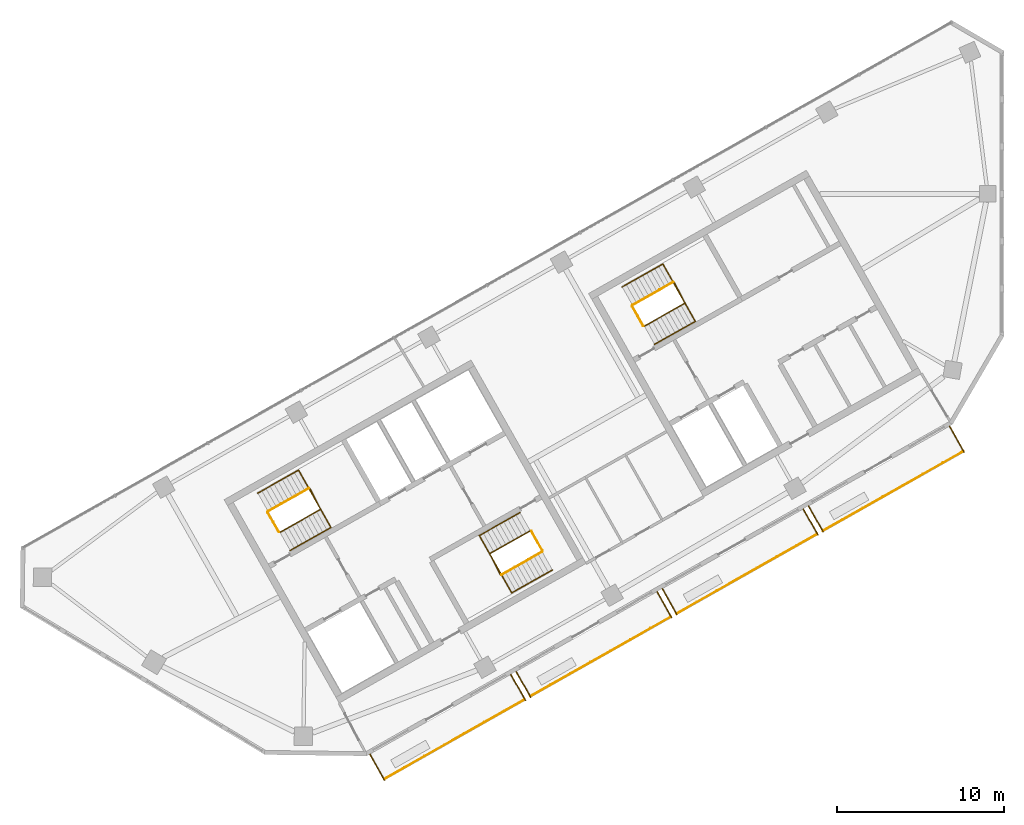
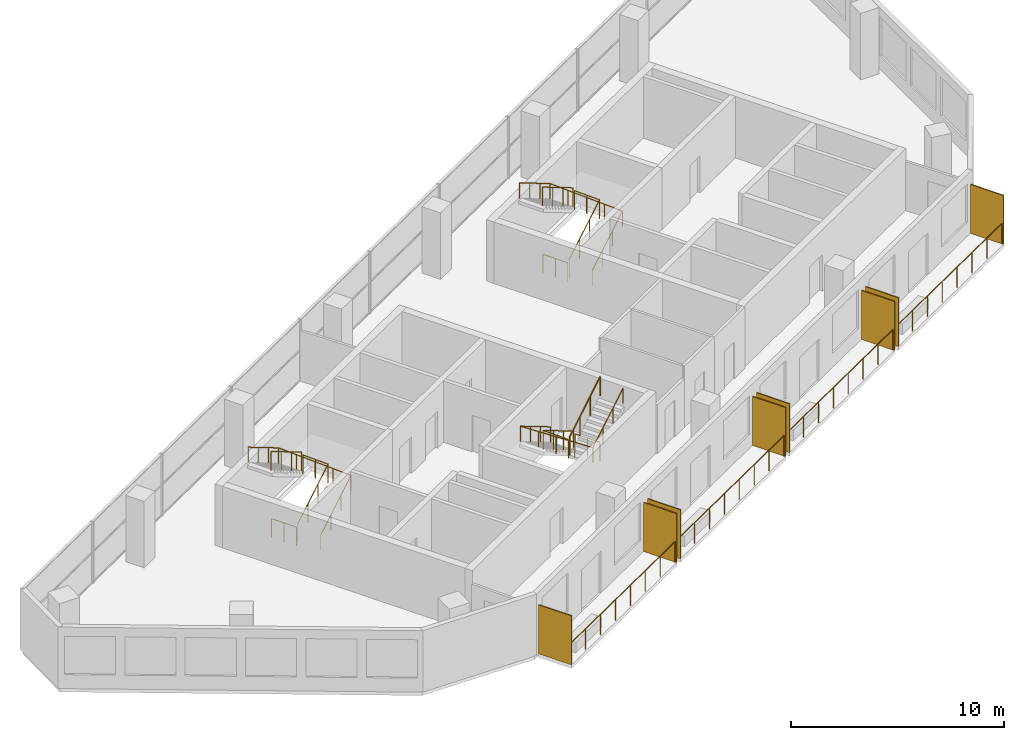
# One storey, part 9 of 10: 16 railings, 8 shading devices.
"""IFC4 building model written with IfcOpenShell, lengths in metres."""

from ifc_helpers import new_model, si_unit, direction, frame, origin, origin_2d, place, context, subcontext, project, spatial, rectangle, circle, extrude, material, layer, layer_set, type_object, element, save


model = new_model("IFC4")

# Units and contexts
model_context = context("Model", 3, precision=1e-05, world=origin(), true_north=direction((0.0, 1.0)))
body_context = subcontext(model_context, "Body", "Model", "MODEL_VIEW")
ifc_project = project(units=[si_unit("LENGTHUNIT", "METRE"), si_unit("AREAUNIT", "SQUARE_METRE"), si_unit("VOLUMEUNIT", "CUBIC_METRE"), si_unit("PLANEANGLEUNIT", "RADIAN"), si_unit("MASSUNIT", "GRAM", prefix="KILO")], contexts=[model_context])

# Site, building, storey
site_placement = place(None, origin())
site = spatial("IfcSite", under=ifc_project, at=site_placement, CompositionType="ELEMENT")
building_placement = place(site_placement, origin())
building = spatial("IfcBuilding", under=site, at=building_placement, Name="Binnacle Exchange Tower", CompositionType="ELEMENT")
storey_placement = place(building_placement, frame((0.0, 0.0, 335.5)))
storey = spatial("IfcBuildingStorey", under=building, at=storey_placement, Name="L76", CompositionType="ELEMENT", Elevation=335.5)

# Railings
ifc_material_1 = material(Name="Bronze anodised aluminium frame", Category="aluminium")
railing_type_1 = type_object("IfcRailingType", Name="GUARD 1200", PredefinedType="GUARDRAIL", material=ifc_material_1)
for number, where, name in (
    (1, (-37.006591796875, 24.94287109375, 0.0), "Balcony guard H07-B00 L76"),
    (2, (-28.24365234375, 29.900634765625, 0.0), "Balcony guard H07-B01 L76"),
):
    element("IfcRailing", number, at=place(storey_placement, frame(where)), inside=storey, type_object=railing_type_1, Name=name, PredefinedType="GUARDRAIL", context=body_context, shape_type="SweptSolid", body=[
        extrude(circle(Radius=0.02392578125, at=origin_2d()), frame((0.0, 0.0, 1.17578125), z_axis=(0.870359171481, 0.492417417055, 0.0), x_axis=(-0.492417417055, 0.870359171481, 0.0)), (0.0, 0.0, 1.0), 9.648193359375),
        extrude(circle(Radius=0.02099609375, at=origin_2d()), origin(), (0.0, 0.0, 1.0), 1.15185546875),
        extrude(circle(Radius=0.02099609375, at=origin_2d()), frame((1.19970703125, 0.6787109375, 0.0)), (0.0, 0.0, 1.0), 1.15185546875),
        extrude(circle(Radius=0.02099609375, at=origin_2d()), frame((2.399169921875, 1.357421875, 0.0)), (0.0, 0.0, 1.0), 1.15185546875),
        extrude(circle(Radius=0.02099609375, at=origin_2d()), frame((3.598876953125, 2.0361328125, 0.0)), (0.0, 0.0, 1.0), 1.15185546875),
        extrude(circle(Radius=0.02099609375, at=origin_2d()), frame((4.798583984375, 2.71484375, 0.0)), (0.0, 0.0, 1.0), 1.15185546875),
        extrude(circle(Radius=0.02099609375, at=origin_2d()), frame((5.998291015625, 3.3935546875, 0.0)), (0.0, 0.0, 1.0), 1.15185546875),
        extrude(circle(Radius=0.02099609375, at=origin_2d()), frame((7.19775390625, 4.072265625, 0.0)), (0.0, 0.0, 1.0), 1.15185546875),
        extrude(circle(Radius=0.02099609375, at=origin_2d()), frame((8.3974609375, 4.7509765625, 0.0)), (0.0, 0.0, 1.0), 1.15185546875),
    ])
railing_1_placement = place(storey_placement, frame((-19.480712890625, 34.8583984375, 0.0)))
element("IfcRailing", 3, at=railing_1_placement, inside=storey, type_object=railing_type_1, Name="Balcony guard H07-B02 L76", PredefinedType="GUARDRAIL", context=body_context, shape_type="SweptSolid", body=[
    extrude(circle(Radius=0.02392578125, at=origin_2d()), frame((0.0, 0.0, 1.17578125), z_axis=(0.870342190373, 0.492447430349, 0.0), x_axis=(-0.492447430349, 0.870342190373, 0.0)), (0.0, 0.0, 1.0), 9.648193359375),
    extrude(circle(Radius=0.02099609375, at=origin_2d()), origin(), (0.0, 0.0, 1.0), 1.15185546875),
    extrude(circle(Radius=0.02099609375, at=origin_2d()), frame((1.19970703125, 0.6787109375, 0.0)), (0.0, 0.0, 1.0), 1.15185546875),
    extrude(circle(Radius=0.02099609375, at=origin_2d()), frame((2.399169921875, 1.357421875, 0.0)), (0.0, 0.0, 1.0), 1.15185546875),
    extrude(circle(Radius=0.02099609375, at=origin_2d()), frame((3.598876953125, 2.0361328125, 0.0)), (0.0, 0.0, 1.0), 1.15185546875),
    extrude(circle(Radius=0.02099609375, at=origin_2d()), frame((4.79833984375, 2.715087890625, 0.0)), (0.0, 0.0, 1.0), 1.15185546875),
    extrude(circle(Radius=0.02099609375, at=origin_2d()), frame((5.998046875, 3.393798828125, 0.0)), (0.0, 0.0, 1.0), 1.15185546875),
    extrude(circle(Radius=0.02099609375, at=origin_2d()), frame((7.197509765625, 4.072509765625, 0.0)), (0.0, 0.0, 1.0), 1.15185546875),
    extrude(circle(Radius=0.02099609375, at=origin_2d()), frame((8.397216796875, 4.751220703125, 0.0)), (0.0, 0.0, 1.0), 1.15185546875),
])
railing_2_placement = place(storey_placement, frame((-10.7177734375, 39.81640625, 0.0)))
element("IfcRailing", 4, at=railing_2_placement, inside=storey, type_object=railing_type_1, Name="Balcony guard H07-B03 L76", PredefinedType="GUARDRAIL", context=body_context, shape_type="SweptSolid", body=[
    extrude(circle(Radius=0.02392578125, at=origin_2d()), frame((0.0, 0.0, 1.17578125), z_axis=(0.870353035673, 0.492428262079, 0.0), x_axis=(-0.492428262079, 0.870353035673, 0.0)), (0.0, 0.0, 1.0), 9.64794921875),
    extrude(circle(Radius=0.02099609375, at=origin_2d()), origin(), (0.0, 0.0, 1.0), 1.15185546875),
    extrude(circle(Radius=0.02099609375, at=origin_2d()), frame((1.19970703125, 0.6787109375, 0.0)), (0.0, 0.0, 1.0), 1.15185546875),
    extrude(circle(Radius=0.02099609375, at=origin_2d()), frame((2.399169921875, 1.357421875, 0.0)), (0.0, 0.0, 1.0), 1.15185546875),
    extrude(circle(Radius=0.02099609375, at=origin_2d()), frame((3.598876953125, 2.0361328125, 0.0)), (0.0, 0.0, 1.0), 1.15185546875),
    extrude(circle(Radius=0.02099609375, at=origin_2d()), frame((4.79833984375, 2.71484375, 0.0)), (0.0, 0.0, 1.0), 1.15185546875),
    extrude(circle(Radius=0.02099609375, at=origin_2d()), frame((5.998046875, 3.3935546875, 0.0)), (0.0, 0.0, 1.0), 1.15185546875),
    extrude(circle(Radius=0.02099609375, at=origin_2d()), frame((7.197509765625, 4.072265625, 0.0)), (0.0, 0.0, 1.0), 1.15185546875),
    extrude(circle(Radius=0.02099609375, at=origin_2d()), frame((8.397216796875, 4.7509765625, 0.0)), (0.0, 0.0, 1.0), 1.15185546875),
])

# Shading devices
ifc_material_2 = material(Name="Bronze aluminium louvre", Category="aluminium")
ifc_layer = layer(ifc_material_2, 0.06005859375)
ifc_layer_set = layer_set([ifc_layer], Name="PLANTED SCREEN 60x2800")
shading_device_type = type_object("IfcShadingDeviceType", Name="PLANTED SCREEN 60x2800", PredefinedType="USERDEFINED", material=ifc_layer_set)
for number, where, z_axis, x_axis, name in (
    (5, (-37.436279296875, 25.641845703125, 0.0), (0.0, 0.0, 1.0), (0.87035569594, 0.492423560103, 0.0), "Planted screen H07-B00a L76"),
    (6, (-28.98681640625, 30.42236328125, 0.0), (0.0, 0.0, 1.0), (0.87035569594, 0.492423560103, 0.0), "Planted screen H07-B00b L76"),
    (7, (-28.673583984375, 30.599609375, 0.0), (0.0, 0.0, 1.0), (0.87035569594, 0.492423560103, 0.0), "Planted screen H07-B01a L76"),
    (8, (-20.223876953125, 35.380126953125, 0.0), (0.0, 0.0, 1.0), (0.87035569594, 0.492423560103, 0.0), "Planted screen H07-B01b L76"),
    (9, (-19.91064453125, 35.5576171875, 0.0), (0.0, 0.0, 1.0), (0.87035569594, 0.492423560103, 0.0), "Planted screen H07-B02a L76"),
    (10, (-11.461181640625, 40.337890625, 0.0), (0.0, 0.0, 1.0), (0.87035569594, 0.492423560103, 0.0), "Planted screen H07-B02b L76"),
    (11, (-11.147705078125, 40.51513671875, 0.0), (0.0, 0.0, 1.0), (0.87035569594, 0.492423560103, 0.0), "Planted screen H07-B03a L76"),
    (12, (-2.697998046875, 45.2958984375, 0.0), (0.0, 0.0, 1.0), (0.87035569594, 0.492423560103, 0.0), "Planted screen H07-B03b L76"),
):
    element("IfcShadingDevice", number, at=place(storey_placement, frame(where, z_axis=z_axis, x_axis=x_axis)), inside=storey, type_object=shading_device_type, Name=name, ObjectType="SCREEN", PredefinedType="USERDEFINED", context=body_context, shape_type="SweptSolid", body=[
        extrude(rectangle(XDim=0.06005859375, YDim=1.800048828125, at=origin_2d()), origin(), (0.0, 0.0, 1.0), 2.800048828125),
    ])

# Railings
ifc_material_3 = material(Name="Steel guard rail", Category="steel")
railing_type_2 = type_object("IfcRailingType", Name="STAIR GUARD 1100", PredefinedType="GUARDRAIL", material=ifc_material_3)
railing_3_placement = place(storey_placement, frame((-43.26171875, 39.71728515625, 0.172607421875)))
element("IfcRailing", 13, at=railing_3_placement, inside=storey, type_object=railing_type_2, Name="L76 STA1 stair guard 1", PredefinedType="GUARDRAIL", context=body_context, shape_type="SweptSolid", body=[
    extrude(circle(Radius=0.02392578125, at=origin_2d()), frame((0.0, 0.0, 1.076171875), z_axis=(0.740737961854, 0.419123222656, 0.525017138862), x_axis=(-0.492453686477, 0.870338650569, 0.0)), (0.0, 0.0, 1.0), 3.2900390625),
    extrude(circle(Radius=0.02392578125, at=origin_2d()), frame((2.43701171875, 1.37890625, 2.80322265625), z_axis=(-0.461100321709, 0.887348011391, 0.0), x_axis=(-0.887348011391, -0.461100321709, 0.0)), (0.0, 0.0, 1.0), 1.40087890625),
    extrude(circle(Radius=0.02099609375, at=origin_2d()), origin(), (0.0, 0.0, 1.0), 1.052001953125),
    extrude(circle(Radius=0.02099609375, at=origin_2d()), frame((0.812255859375, 0.459716796875, 0.57568359375)), (0.0, 0.0, 1.0), 1.052001953125),
    extrude(circle(Radius=0.02099609375, at=origin_2d()), frame((1.624755859375, 0.919189453125, 1.151611328125)), (0.0, 0.0, 1.0), 1.052001953125),
    extrude(circle(Radius=0.02099609375, at=origin_2d()), frame((2.43701171875, 1.37890625, 1.727294921875)), (0.0, 0.0, 1.0), 1.052001953125),
    extrude(circle(Radius=0.02099609375, at=origin_2d()), frame((2.114013671875, 2.00048828125, 1.727294921875)), (0.0, 0.0, 1.0), 1.052001953125),
    extrude(circle(Radius=0.02099609375, at=origin_2d()), frame((1.791015625, 2.6220703125, 1.727294921875)), (0.0, 0.0, 1.0), 1.052001953125),
])
railing_4_placement = place(storey_placement, frame((-41.538818359375, 42.358154296875, 2.07275390625)))
element("IfcRailing", 14, at=railing_4_placement, inside=storey, type_object=railing_type_2, Name="L76 STA1 stair guard 2", PredefinedType="GUARDRAIL", context=body_context, shape_type="SweptSolid", body=[
    extrude(circle(Radius=0.02392578125, at=origin_2d()), frame((0.0, 0.0, 1.076171875), z_axis=(-0.740737961854, -0.419123222656, 0.525017138862), x_axis=(0.492453686477, -0.870338650569, 0.0)), (0.0, 0.0, 1.0), 3.2900390625),
    extrude(circle(Radius=0.02099609375, at=origin_2d()), origin(), (0.0, 0.0, 1.0), 1.052001953125),
    extrude(circle(Radius=0.02099609375, at=origin_2d()), frame((-0.812255859375, -0.459716796875, 0.57568359375)), (0.0, 0.0, 1.0), 1.052001953125),
    extrude(circle(Radius=0.02099609375, at=origin_2d()), frame((-1.624755859375, -0.919189453125, 1.151611328125)), (0.0, 0.0, 1.0), 1.052001953125),
    extrude(circle(Radius=0.02099609375, at=origin_2d()), frame((-2.43701171875, -1.37890625, 1.727294921875)), (0.0, 0.0, 1.0), 1.052001953125),
])
railing_5_placement = place(storey_placement, frame((-43.329833984375, 39.736328125, 0.0)))
element("IfcRailing", 15, at=railing_5_placement, inside=storey, type_object=railing_type_2, Name="L76 STA1 stair guard 3", PredefinedType="GUARDRAIL", context=body_context, shape_type="SweptSolid", body=[
    extrude(circle(Radius=0.02392578125, at=origin_2d()), frame((0.0, 0.0, 1.076171875), z_axis=(-0.4924922531, 0.870316827734, 0.0), x_axis=(-0.870316827734, -0.4924922531, 0.0)), (0.0, 0.0, 1.0), 1.349853515625),
    extrude(circle(Radius=0.02099609375, at=origin_2d()), origin(), (0.0, 0.0, 1.0), 1.052001953125),
    extrude(circle(Radius=0.02099609375, at=origin_2d()), frame((-0.33251953125, 0.58740234375, 0.0)), (0.0, 0.0, 1.0), 1.052001953125),
    extrude(circle(Radius=0.02099609375, at=origin_2d()), frame((-0.664794921875, 1.1748046875, 0.0)), (0.0, 0.0, 1.0), 1.052001953125),
])
railing_6_placement = place(storey_placement, frame((-28.265380859375, 39.814453125, 0.172607421875)))
element("IfcRailing", 16, at=railing_6_placement, inside=storey, type_object=railing_type_2, Name="L76 STA2 stair guard 1", PredefinedType="GUARDRAIL", context=body_context, shape_type="SweptSolid", body=[
    extrude(circle(Radius=0.02392578125, at=origin_2d()), frame((0.0, 0.0, 1.076171875), z_axis=(-0.740760999345, -0.419062048017, 0.525033467278), x_axis=(0.492387636113, -0.870376019777, 0.0)), (0.0, 0.0, 1.0), 3.289794921875),
    extrude(circle(Radius=0.02392578125, at=origin_2d()), frame((-2.43701171875, -1.378662109375, 2.80322265625), z_axis=(0.460963092712, -0.887419307406, 0.0), x_axis=(0.887419307406, 0.460963092712, 0.0)), (0.0, 0.0, 1.0), 1.40087890625),
    extrude(circle(Radius=0.02099609375, at=origin_2d()), origin(), (0.0, 0.0, 1.0), 1.052001953125),
    extrude(circle(Radius=0.02099609375, at=origin_2d()), frame((-0.812255859375, -0.45947265625, 0.57568359375)), (0.0, 0.0, 1.0), 1.052001953125),
    extrude(circle(Radius=0.02099609375, at=origin_2d()), frame((-1.624755859375, -0.919189453125, 1.151611328125)), (0.0, 0.0, 1.0), 1.052001953125),
    extrude(circle(Radius=0.02099609375, at=origin_2d()), frame((-2.43701171875, -1.378662109375, 1.727294921875)), (0.0, 0.0, 1.0), 1.052001953125),
    extrude(circle(Radius=0.02099609375, at=origin_2d()), frame((-2.1142578125, -2.000244140625, 1.727294921875)), (0.0, 0.0, 1.0), 1.052001953125),
    extrude(circle(Radius=0.02099609375, at=origin_2d()), frame((-1.791259765625, -2.621826171875, 1.727294921875)), (0.0, 0.0, 1.0), 1.052001953125),
])
railing_7_placement = place(storey_placement, frame((-29.988525390625, 37.173583984375, 2.07275390625)))
element("IfcRailing", 17, at=railing_7_placement, inside=storey, type_object=railing_type_2, Name="L76 STA2 stair guard 2", PredefinedType="GUARDRAIL", context=body_context, shape_type="SweptSolid", body=[
    extrude(circle(Radius=0.02392578125, at=origin_2d()), frame((0.0, 0.0, 1.076171875), z_axis=(0.740737961854, 0.419123222656, 0.525017138862), x_axis=(-0.492453686477, 0.870338650569, 0.0)), (0.0, 0.0, 1.0), 3.2900390625),
    extrude(circle(Radius=0.02099609375, at=origin_2d()), origin(), (0.0, 0.0, 1.0), 1.052001953125),
    extrude(circle(Radius=0.02099609375, at=origin_2d()), frame((0.812255859375, 0.459716796875, 0.57568359375)), (0.0, 0.0, 1.0), 1.052001953125),
    extrude(circle(Radius=0.02099609375, at=origin_2d()), frame((1.624755859375, 0.919189453125, 1.151611328125)), (0.0, 0.0, 1.0), 1.052001953125),
    extrude(circle(Radius=0.02099609375, at=origin_2d()), frame((2.43701171875, 1.37890625, 1.727294921875)), (0.0, 0.0, 1.0), 1.052001953125),
])
railing_8_placement = place(storey_placement, frame((-28.197265625, 39.795654296875, 0.0)))
element("IfcRailing", 18, at=railing_8_placement, inside=storey, type_object=railing_type_2, Name="L76 STA2 stair guard 3", PredefinedType="GUARDRAIL", context=body_context, shape_type="SweptSolid", body=[
    extrude(circle(Radius=0.02392578125, at=origin_2d()), frame((0.0, 0.0, 1.076171875), z_axis=(0.49241474071, -0.870360685654, 0.0), x_axis=(0.870360685654, 0.49241474071, 0.0)), (0.0, 0.0, 1.0), 1.35009765625),
    extrude(circle(Radius=0.02099609375, at=origin_2d()), origin(), (0.0, 0.0, 1.0), 1.052001953125),
    extrude(circle(Radius=0.02099609375, at=origin_2d()), frame((0.33251953125, -0.58740234375, 0.0)), (0.0, 0.0, 1.0), 1.052001953125),
    extrude(circle(Radius=0.02099609375, at=origin_2d()), frame((0.664794921875, -1.175048828125, 0.0)), (0.0, 0.0, 1.0), 1.052001953125),
])
railing_9_placement = place(storey_placement, frame((-21.423828125, 52.07275390625, 0.172607421875)))
element("IfcRailing", 19, at=railing_9_placement, inside=storey, type_object=railing_type_2, Name="L76 STC1 stair guard 1", PredefinedType="GUARDRAIL", context=body_context, shape_type="SweptSolid", body=[
    extrude(circle(Radius=0.02392578125, at=origin_2d()), frame((0.0, 0.0, 1.076171875), z_axis=(0.740760999345, 0.419062048017, 0.525033467278), x_axis=(-0.492387636113, 0.870376019777, 0.0)), (0.0, 0.0, 1.0), 3.289794921875),
    extrude(circle(Radius=0.02392578125, at=origin_2d()), frame((2.43701171875, 1.378662109375, 2.80322265625), z_axis=(-0.460963092712, 0.887419307406, 0.0), x_axis=(-0.887419307406, -0.460963092712, 0.0)), (0.0, 0.0, 1.0), 1.40087890625),
    extrude(circle(Radius=0.02099609375, at=origin_2d()), origin(), (0.0, 0.0, 1.0), 1.052001953125),
    extrude(circle(Radius=0.02099609375, at=origin_2d()), frame((0.812255859375, 0.45947265625, 0.57568359375)), (0.0, 0.0, 1.0), 1.052001953125),
    extrude(circle(Radius=0.02099609375, at=origin_2d()), frame((1.624755859375, 0.919189453125, 1.151611328125)), (0.0, 0.0, 1.0), 1.052001953125),
    extrude(circle(Radius=0.02099609375, at=origin_2d()), frame((2.43701171875, 1.378662109375, 1.727294921875)), (0.0, 0.0, 1.0), 1.052001953125),
    extrude(circle(Radius=0.02099609375, at=origin_2d()), frame((2.1142578125, 2.000244140625, 1.727294921875)), (0.0, 0.0, 1.0), 1.052001953125),
    extrude(circle(Radius=0.02099609375, at=origin_2d()), frame((1.791259765625, 2.621826171875, 1.727294921875)), (0.0, 0.0, 1.0), 1.052001953125),
])
railing_10_placement = place(storey_placement, frame((-19.70068359375, 54.71337890625, 2.07275390625)))
element("IfcRailing", 20, at=railing_10_placement, inside=storey, type_object=railing_type_2, Name="L76 STC1 stair guard 2", PredefinedType="GUARDRAIL", context=body_context, shape_type="SweptSolid", body=[
    extrude(circle(Radius=0.02392578125, at=origin_2d()), frame((0.0, 0.0, 1.076171875), z_axis=(-0.740760999345, -0.419062048017, 0.525033467278), x_axis=(0.492387636113, -0.870376019777, 0.0)), (0.0, 0.0, 1.0), 3.289794921875),
    extrude(circle(Radius=0.02099609375, at=origin_2d()), origin(), (0.0, 0.0, 1.0), 1.052001953125),
    extrude(circle(Radius=0.02099609375, at=origin_2d()), frame((-0.812255859375, -0.45947265625, 0.57568359375)), (0.0, 0.0, 1.0), 1.052001953125),
    extrude(circle(Radius=0.02099609375, at=origin_2d()), frame((-1.624755859375, -0.919189453125, 1.151611328125)), (0.0, 0.0, 1.0), 1.052001953125),
    extrude(circle(Radius=0.02099609375, at=origin_2d()), frame((-2.43701171875, -1.378662109375, 1.727294921875)), (0.0, 0.0, 1.0), 1.052001953125),
])
railing_11_placement = place(storey_placement, frame((-21.491943359375, 52.091552734375, 0.0)))
element("IfcRailing", 21, at=railing_11_placement, inside=storey, type_object=railing_type_2, Name="L76 STC1 stair guard 3", PredefinedType="GUARDRAIL", context=body_context, shape_type="SweptSolid", body=[
    extrude(circle(Radius=0.02392578125, at=origin_2d()), frame((0.0, 0.0, 1.076171875), z_axis=(-0.49241474071, 0.870360685654, 0.0), x_axis=(-0.870360685654, -0.49241474071, 0.0)), (0.0, 0.0, 1.0), 1.35009765625),
    extrude(circle(Radius=0.02099609375, at=origin_2d()), origin(), (0.0, 0.0, 1.0), 1.052001953125),
    extrude(circle(Radius=0.02099609375, at=origin_2d()), frame((-0.33251953125, 0.58740234375, 0.0)), (0.0, 0.0, 1.0), 1.052001953125),
    extrude(circle(Radius=0.02099609375, at=origin_2d()), frame((-0.664794921875, 1.175048828125, 0.0)), (0.0, 0.0, 1.0), 1.052001953125),
])
ifc_material_4 = material(Name="Steel handrail", Category="steel")
railing_type_3 = type_object("IfcRailingType", Name="STAIR HANDRAIL 900", PredefinedType="HANDRAIL", material=ifc_material_4)
railing_12_placement = place(storey_placement, frame((-42.646240234375, 38.62939453125, 0.172607421875)))
element("IfcRailing", 22, at=railing_12_placement, inside=storey, type_object=railing_type_3, Name="L76 STA1 stair handrail 1", PredefinedType="HANDRAIL", context=body_context, shape_type="SweptSolid", body=[
    extrude(circle(Radius=0.02392578125, at=origin_2d()), frame((0.0, 0.0, 0.8759765625), z_axis=(0.740760999345, 0.419062048017, 0.525033467278), x_axis=(-0.492387636113, 0.870376019777, 0.0)), (0.0, 0.0, 1.0), 3.289794921875),
    extrude(circle(Radius=0.02392578125, at=origin_2d()), frame((2.43701171875, 1.378662109375, 2.60302734375), z_axis=(-0.491942846455, 0.869529203437, 0.043717275673), x_axis=(-0.870361318571, -0.492413622004, 0.0)), (0.0, 0.0, 1.0), 3.953857421875),
    extrude(circle(Radius=0.02392578125, at=origin_2d()), frame((0.491943359375, 4.816650390625, 2.77587890625), z_axis=(-0.740760999345, -0.419062048017, 0.525033467278), x_axis=(0.492387636113, -0.870376019777, 0.0)), (0.0, 0.0, 1.0), 3.289794921875),
    extrude(circle(Radius=0.02099609375, at=origin_2d()), origin(), (0.0, 0.0, 1.0), 0.851806640625),
    extrude(circle(Radius=0.02099609375, at=origin_2d()), frame((0.812255859375, 0.45947265625, 0.57568359375)), (0.0, 0.0, 1.0), 0.851806640625),
    extrude(circle(Radius=0.02099609375, at=origin_2d()), frame((1.624755859375, 0.919189453125, 1.151611328125)), (0.0, 0.0, 1.0), 0.851806640625),
    extrude(circle(Radius=0.02099609375, at=origin_2d()), frame((2.43701171875, 1.378662109375, 1.727294921875)), (0.0, 0.0, 1.0), 0.851806640625),
    extrude(circle(Radius=0.02099609375, at=origin_2d()), frame((1.95068359375, 2.23828125, 1.7705078125)), (0.0, 0.0, 1.0), 0.851806640625),
    extrude(circle(Radius=0.02099609375, at=origin_2d()), frame((1.46435546875, 3.09765625, 1.813720703125)), (0.0, 0.0, 1.0), 0.851806640625),
    extrude(circle(Radius=0.02099609375, at=origin_2d()), frame((0.978271484375, 3.95703125, 1.85693359375)), (0.0, 0.0, 1.0), 0.851806640625),
    extrude(circle(Radius=0.02099609375, at=origin_2d()), frame((0.491943359375, 4.816650390625, 1.900146484375)), (0.0, 0.0, 1.0), 0.851806640625),
    extrude(circle(Radius=0.02099609375, at=origin_2d()), frame((-0.3203125, 4.357177734375, 2.475830078125)), (0.0, 0.0, 1.0), 0.851806640625),
    extrude(circle(Radius=0.02099609375, at=origin_2d()), frame((-1.1328125, 3.8974609375, 3.0517578125)), (0.0, 0.0, 1.0), 0.851806640625),
    extrude(circle(Radius=0.02099609375, at=origin_2d()), frame((-1.945068359375, 3.43798828125, 3.62744140625)), (0.0, 0.0, 1.0), 0.851806640625),
])
railing_13_placement = place(storey_placement, frame((-28.880859375, 40.90234375, 0.172607421875)))
element("IfcRailing", 23, at=railing_13_placement, inside=storey, type_object=railing_type_3, Name="L76 STA2 stair handrail 1", PredefinedType="HANDRAIL", context=body_context, shape_type="SweptSolid", body=[
    extrude(circle(Radius=0.02392578125, at=origin_2d()), frame((0.0, 0.0, 0.8759765625), z_axis=(-0.740760999345, -0.419062048017, 0.525033467278), x_axis=(0.492387636113, -0.870376019777, 0.0)), (0.0, 0.0, 1.0), 3.289794921875),
    extrude(circle(Radius=0.02392578125, at=origin_2d()), frame((-2.43701171875, -1.378662109375, 2.60302734375), z_axis=(0.491942846455, -0.869529203437, 0.043717275673), x_axis=(0.870361318571, 0.492413622004, 0.0)), (0.0, 0.0, 1.0), 3.953857421875),
    extrude(circle(Radius=0.02392578125, at=origin_2d()), frame((-0.491943359375, -4.816650390625, 2.77587890625), z_axis=(0.740737961854, 0.419123222656, 0.525017138862), x_axis=(-0.492453686477, 0.870338650569, 0.0)), (0.0, 0.0, 1.0), 3.2900390625),
    extrude(circle(Radius=0.02099609375, at=origin_2d()), origin(), (0.0, 0.0, 1.0), 0.851806640625),
    extrude(circle(Radius=0.02099609375, at=origin_2d()), frame((-0.812255859375, -0.45947265625, 0.57568359375)), (0.0, 0.0, 1.0), 0.851806640625),
    extrude(circle(Radius=0.02099609375, at=origin_2d()), frame((-1.624755859375, -0.919189453125, 1.151611328125)), (0.0, 0.0, 1.0), 0.851806640625),
    extrude(circle(Radius=0.02099609375, at=origin_2d()), frame((-2.43701171875, -1.378662109375, 1.727294921875)), (0.0, 0.0, 1.0), 0.851806640625),
    extrude(circle(Radius=0.02099609375, at=origin_2d()), frame((-1.95068359375, -2.23828125, 1.7705078125)), (0.0, 0.0, 1.0), 0.851806640625),
    extrude(circle(Radius=0.02099609375, at=origin_2d()), frame((-1.46435546875, -3.09765625, 1.813720703125)), (0.0, 0.0, 1.0), 0.851806640625),
    extrude(circle(Radius=0.02099609375, at=origin_2d()), frame((-0.978271484375, -3.95703125, 1.85693359375)), (0.0, 0.0, 1.0), 0.851806640625),
    extrude(circle(Radius=0.02099609375, at=origin_2d()), frame((-0.491943359375, -4.816650390625, 1.900146484375)), (0.0, 0.0, 1.0), 0.851806640625),
    extrude(circle(Radius=0.02099609375, at=origin_2d()), frame((0.3203125, -4.35693359375, 2.475830078125)), (0.0, 0.0, 1.0), 0.851806640625),
    extrude(circle(Radius=0.02099609375, at=origin_2d()), frame((1.1328125, -3.8974609375, 3.0517578125)), (0.0, 0.0, 1.0), 0.851806640625),
    extrude(circle(Radius=0.02099609375, at=origin_2d()), frame((1.945068359375, -3.437744140625, 3.62744140625)), (0.0, 0.0, 1.0), 0.851806640625),
])
railing_14_placement = place(storey_placement, frame((-20.808349609375, 50.984619140625, 0.172607421875)))
element("IfcRailing", 24, at=railing_14_placement, inside=storey, type_object=railing_type_3, Name="L76 STC1 stair handrail 1", PredefinedType="HANDRAIL", context=body_context, shape_type="SweptSolid", body=[
    extrude(circle(Radius=0.02392578125, at=origin_2d()), frame((0.0, 0.0, 0.8759765625), z_axis=(0.740737961854, 0.419123222656, 0.525017138862), x_axis=(-0.492453686477, 0.870338650569, 0.0)), (0.0, 0.0, 1.0), 3.2900390625),
    extrude(circle(Radius=0.02392578125, at=origin_2d()), frame((2.43701171875, 1.37890625, 2.60302734375), z_axis=(-0.491969260701, 0.869514140822, 0.043719623017), x_axis=(-0.87034633103, -0.492440112159, 0.0)), (0.0, 0.0, 1.0), 3.95361328125),
    extrude(circle(Radius=0.02392578125, at=origin_2d()), frame((0.491943359375, 4.816650390625, 2.77587890625), z_axis=(-0.740760999345, -0.419062048017, 0.525033467278), x_axis=(0.492387636113, -0.870376019777, 0.0)), (0.0, 0.0, 1.0), 3.289794921875),
    extrude(circle(Radius=0.02099609375, at=origin_2d()), origin(), (0.0, 0.0, 1.0), 0.851806640625),
    extrude(circle(Radius=0.02099609375, at=origin_2d()), frame((0.812255859375, 0.459716796875, 0.57568359375)), (0.0, 0.0, 1.0), 0.851806640625),
    extrude(circle(Radius=0.02099609375, at=origin_2d()), frame((1.624755859375, 0.919189453125, 1.151611328125)), (0.0, 0.0, 1.0), 0.851806640625),
    extrude(circle(Radius=0.02099609375, at=origin_2d()), frame((2.43701171875, 1.37890625, 1.727294921875)), (0.0, 0.0, 1.0), 0.851806640625),
    extrude(circle(Radius=0.02099609375, at=origin_2d()), frame((1.95068359375, 2.23828125, 1.7705078125)), (0.0, 0.0, 1.0), 0.851806640625),
    extrude(circle(Radius=0.02099609375, at=origin_2d()), frame((1.46435546875, 3.09765625, 1.813720703125)), (0.0, 0.0, 1.0), 0.851806640625),
    extrude(circle(Radius=0.02099609375, at=origin_2d()), frame((0.978271484375, 3.957275390625, 1.85693359375)), (0.0, 0.0, 1.0), 0.851806640625),
    extrude(circle(Radius=0.02099609375, at=origin_2d()), frame((0.491943359375, 4.816650390625, 1.900146484375)), (0.0, 0.0, 1.0), 0.851806640625),
    extrude(circle(Radius=0.02099609375, at=origin_2d()), frame((-0.3203125, 4.357177734375, 2.475830078125)), (0.0, 0.0, 1.0), 0.851806640625),
    extrude(circle(Radius=0.02099609375, at=origin_2d()), frame((-1.1328125, 3.8974609375, 3.0517578125)), (0.0, 0.0, 1.0), 0.851806640625),
    extrude(circle(Radius=0.02099609375, at=origin_2d()), frame((-1.945068359375, 3.43798828125, 3.62744140625)), (0.0, 0.0, 1.0), 0.851806640625),
])

save(model, "model.ifc")
